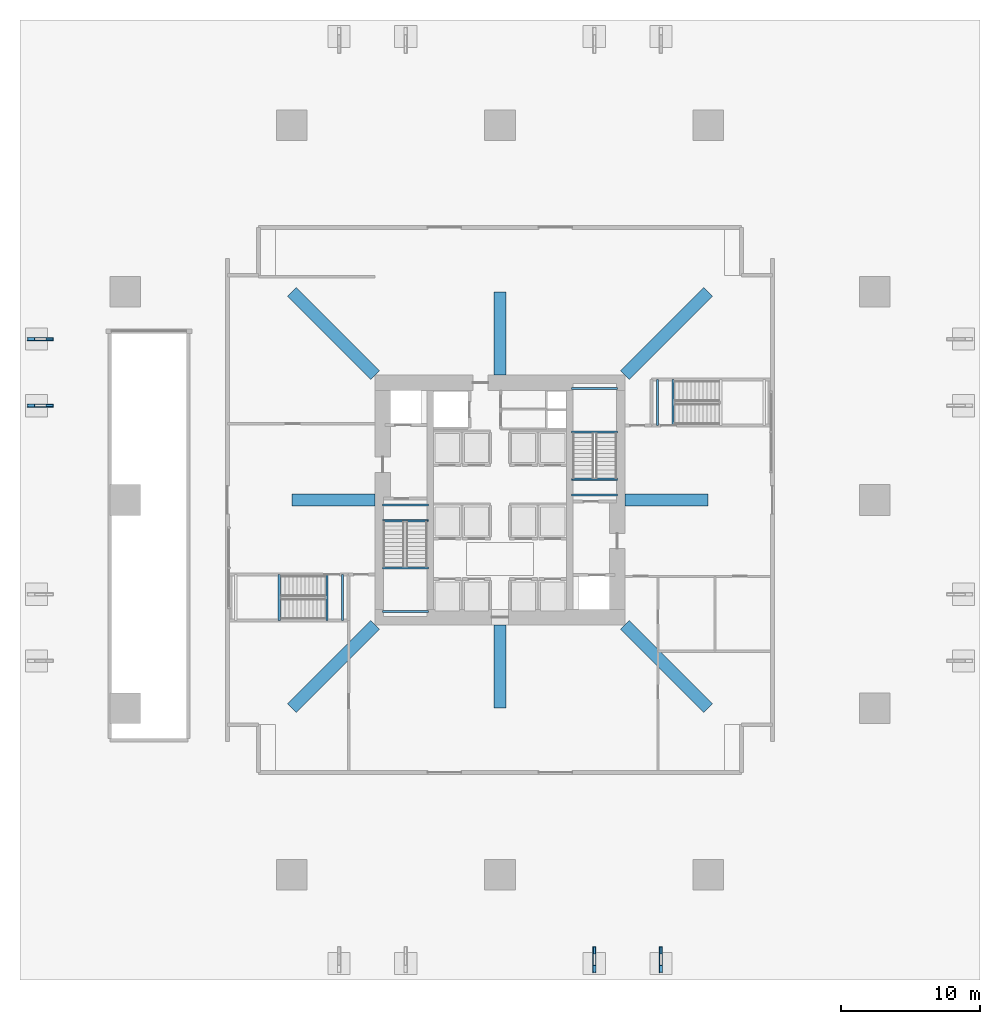
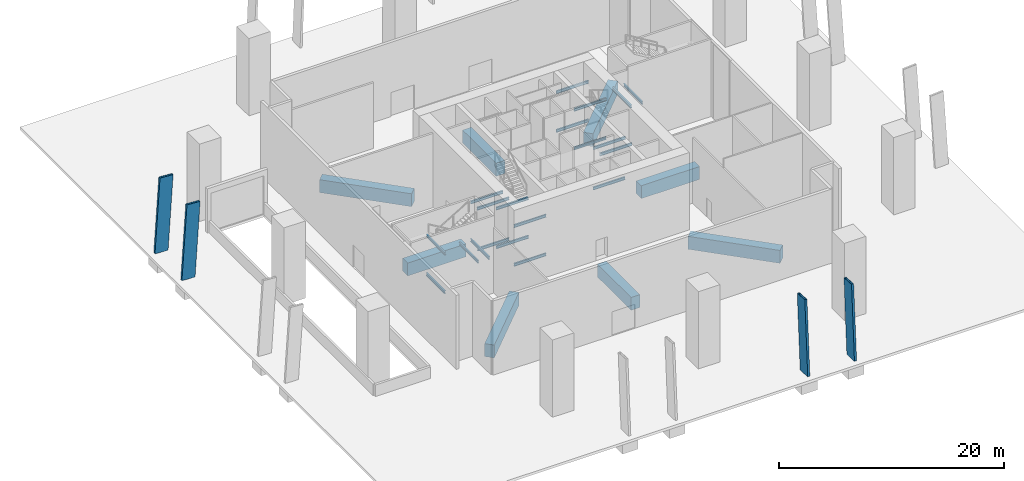
# One storey, part 3 of 12: 28 beams, 4 members.
"""IFC4 building model written with IfcOpenShell, lengths in metres."""

from ifc_helpers import new_model, si_unit, direction, frame, origin, origin_2d, place, context, subcontext, project, spatial, rectangle, hollow_rectangle, i_section, extrude, material, material_profile, profile_set, type_object, element, save


model = new_model("IFC4")

# Units and contexts
model_context = context("Model", 3, precision=1e-05, world=origin(), true_north=direction((0.0, 1.0)))
body_context = subcontext(model_context, "Body", "Model", "MODEL_VIEW")
ifc_project = project(units=[si_unit("LENGTHUNIT", "METRE"), si_unit("AREAUNIT", "SQUARE_METRE"), si_unit("VOLUMEUNIT", "CUBIC_METRE"), si_unit("PLANEANGLEUNIT", "RADIAN"), si_unit("MASSUNIT", "GRAM", prefix="KILO")], contexts=[model_context])

# Site, building, storey
site_placement = place(None, origin())
site = spatial("IfcSite", under=ifc_project, at=site_placement, CompositionType="ELEMENT")
building_placement = place(site_placement, origin())
building = spatial("IfcBuilding", under=site, at=building_placement, Name="Belovzor Exchange Tower", CompositionType="ELEMENT")
storey_placement = place(building_placement, origin())
storey = spatial("IfcBuildingStorey", under=building, at=storey_placement, Name="L01", CompositionType="ELEMENT", Elevation=0.0)

# Members
ifc_material_1 = material(Name="Extruded Architectural Terracotta on Steel S355 Carrier", Category="masonry")
ifc_material_profile_1 = material_profile(ifc_material_1, hollow_rectangle(XDim=0.219970703125, YDim=1.35009765625, WallThickness=0.013916015625, at=origin_2d()))
ifc_profile_set_1 = profile_set([ifc_material_profile_1], Name="Extruded Architectural Terracotta on Steel S355 Carrier")
member_type = type_object("IfcMemberType", Name="Base Arc Sweeping Terracotta Pylon Fin 1450", PredefinedType="USERDEFINED", material=ifc_profile_set_1)
for number, where, z_axis, x_axis, name in (
    (1, (35.60009765625, -4.60009765625, 0.0), (0.0, 0.064343388209, 0.997927817226), (-1.0, 0.0, 0.0), "FIN-TC145 Sweeping Base Pylon Fin L01 S3"),
    (2, (-4.60009765625, 35.60009765625, 0.0), (0.064343388209, 0.0, 0.997927817226), (0.0, 1.0, 0.0), "FIN-TC145 Sweeping Base Pylon Fin L01 W3"),
    (3, (40.39990234375, -4.60009765625, 0.0), (0.0, 0.064343388209, 0.997927817226), (-1.0, 0.0, 0.0), "FIN-TC145 Sweeping Base Pylon Fin L01 S4"),
    (4, (-4.60009765625, 40.39990234375, 0.0), (0.064343388209, 0.0, 0.997927817226), (0.0, 1.0, 0.0), "FIN-TC145 Sweeping Base Pylon Fin L01 W4"),
):
    element("IfcMember", number, at=place(storey_placement, frame(where, z_axis=z_axis, x_axis=x_axis)), inside=storey, type_object=member_type, Name=name, ObjectType="FIN", PredefinedType="USERDEFINED", context=body_context, shape_type="SweptSolid", body=[
        extrude(hollow_rectangle(XDim=0.219970703125, YDim=1.35009765625, WallThickness=0.013916015625, at=origin_2d()), origin(), (0.0, 0.0, 1.0), 8.066650390625),
    ])

# Beams
ifc_material_2 = material(Name="Concrete C50/60", Category="concrete")
ifc_material_profile_2 = material_profile(ifc_material_2, rectangle(XDim=0.89990234375, YDim=1.39990234375, at=origin_2d()))
ifc_profile_set_2 = profile_set([ifc_material_profile_2], Name="Concrete C50/60")
beam_type_1 = type_object("IfcBeamType", Name="Reinforced Concrete Basement Tie Girder 900x1400", PredefinedType="BEAM", material=ifc_profile_set_2)
for number, where, z_axis, x_axis, name in (
    (5, (13.800048828125, 13.800048828125, -1.10009765625), (0.707106781187, 0.707106781187, 0.0), (-0.707106781187, 0.707106781187, 0.0), "BG-1 Reinforced Concrete Basement Tie Girder 900x1400"),
    (6, (43.800048828125, 13.800048828125, -1.10009765625), (-0.707106781187, 0.707106781187, 0.0), (-0.707106781187, -0.707106781187, 0.0), "BG-1 Reinforced Concrete Basement Tie Girder 900x1400"),
    (7, (43.800048828125, 43.800048828125, -1.10009765625), (-0.707106781187, -0.707106781187, 0.0), (0.707106781187, -0.707106781187, 0.0), "BG-1 Reinforced Concrete Basement Tie Girder 900x1400"),
    (8, (13.800048828125, 43.800048828125, -1.10009765625), (0.707106781187, -0.707106781187, 0.0), (0.707106781187, 0.707106781187, 0.0), "BG-1 Reinforced Concrete Basement Tie Girder 900x1400"),
):
    element("IfcBeam", number, at=place(storey_placement, frame(where, z_axis=z_axis, x_axis=x_axis)), inside=storey, type_object=beam_type_1, Name=name, PredefinedType="BEAM", context=body_context, shape_type="SweptSolid", body=[
        extrude(rectangle(XDim=0.89990234375, YDim=1.39990234375, at=origin_2d()), origin(), (0.0, 0.0, 1.0), 8.4853515625),
    ])
for number, where, z_axis, x_axis, name in (
    (9, (28.800048828125, 13.800048828125, -1.10009765625), (0.0, 1.0, 0.0), (-1.0, 0.0, 0.0), "BG-1 Reinforced Concrete Basement Tie Girder 900x1400"),
    (10, (28.800048828125, 43.800048828125, -1.10009765625), (0.0, -1.0, 0.0), (1.0, 0.0, 0.0), "BG-1 Reinforced Concrete Basement Tie Girder 900x1400"),
    (11, (13.800048828125, 28.800048828125, -1.10009765625), (1.0, 0.0, 0.0), (0.0, 1.0, 0.0), "BG-1 Reinforced Concrete Basement Tie Girder 900x1400"),
    (12, (43.800048828125, 28.800048828125, -1.10009765625), (-1.0, 0.0, 0.0), (0.0, -1.0, 0.0), "BG-1 Reinforced Concrete Basement Tie Girder 900x1400"),
):
    element("IfcBeam", number, at=place(storey_placement, frame(where, z_axis=z_axis, x_axis=x_axis)), inside=storey, type_object=beam_type_1, Name=name, PredefinedType="BEAM", context=body_context, shape_type="SweptSolid", body=[
        extrude(rectangle(XDim=0.89990234375, YDim=1.39990234375, at=origin_2d()), origin(), (0.0, 0.0, 1.0), 6.0),
    ])
ifc_material_3 = material(Name="Steel S355", Category="steel")
ifc_material_profile_3 = material_profile(ifc_material_3, i_section(OverallWidth=0.14990234375, OverallDepth=0.300048828125, WebThickness=0.007080078125, FlangeThickness=0.0107421875, at=origin_2d()))
ifc_profile_set_3 = profile_set([ifc_material_profile_3], Name="Steel S355")
beam_type_2 = type_object("IfcBeamType", Name="Secondary Trim Floor Joist IPE 300", PredefinedType="BEAM", material=ifc_profile_set_3)
for number, where, z_axis, x_axis, name in (
    (13, (20.320068359375, 23.889892578125, 1.75), (1.0, 0.0, 0.0), (0.0, 1.0, 0.0), "FJ-300 Secondary Trim Floor Joist IPE 300"),
    (14, (20.320068359375, 20.75, 1.75), (1.0, 0.0, 0.0), (0.0, 1.0, 0.0), "FJ-300 Secondary Trim Floor Joist IPE 300"),
    (15, (20.320068359375, 27.320068359375, 3.85009765625), (1.0, 0.0, 0.0), (0.0, 1.0, 0.0), "FJ-300 Secondary Trim Floor Joist IPE 300"),
    (16, (20.320068359375, 28.449951171875, 3.85009765625), (1.0, 0.0, 0.0), (0.0, 1.0, 0.0), "FJ-300 Secondary Trim Floor Joist IPE 300"),
    (17, (20.320068359375, 23.889892578125, 5.949951171875), (1.0, 0.0, 0.0), (0.0, 1.0, 0.0), "FJ-300 Secondary Trim Floor Joist IPE 300"),
    (18, (20.320068359375, 20.75, 5.949951171875), (1.0, 0.0, 0.0), (0.0, 1.0, 0.0), "FJ-300 Secondary Trim Floor Joist IPE 300"),
):
    element("IfcBeam", number, at=place(storey_placement, frame(where, z_axis=z_axis, x_axis=x_axis)), inside=storey, type_object=beam_type_2, Name=name, PredefinedType="BEAM", context=body_context, shape_type="SweptSolid", body=[
        extrude(i_section(OverallWidth=0.14990234375, OverallDepth=0.300048828125, WebThickness=0.007080078125, FlangeThickness=0.0107421875, at=origin_2d()), origin(), (0.0, 0.0, 1.0), 3.309814453125),
    ])
beam_1_placement = place(storey_placement, frame((20.340087890625, 27.280029296875, -0.550048828125), z_axis=(1.0, 0.0, 0.0), x_axis=(0.0, 1.0, 0.0)))
element("IfcBeam", 19, at=beam_1_placement, inside=storey, type_object=beam_type_2, Name="FJ-300 Secondary Trim Floor Joist IPE 300", PredefinedType="BEAM", context=body_context, shape_type="SweptSolid", body=[
    extrude(i_section(OverallWidth=0.14990234375, OverallDepth=0.300048828125, WebThickness=0.007080078125, FlangeThickness=0.0107421875, at=origin_2d()), origin(), (0.0, 0.0, 1.0), 3.27001953125),
])
for number, where, z_axis, x_axis, name in (
    (20, (37.280029296875, 33.7099609375, 1.75), (-1.0, 0.0, 0.0), (0.0, -1.0, 0.0), "FJ-300 Secondary Trim Floor Joist IPE 300"),
    (21, (37.280029296875, 36.85009765625, 1.75), (-1.0, 0.0, 0.0), (0.0, -1.0, 0.0), "FJ-300 Secondary Trim Floor Joist IPE 300"),
    (22, (37.280029296875, 30.280029296875, 3.85009765625), (-1.0, 0.0, 0.0), (0.0, -1.0, 0.0), "FJ-300 Secondary Trim Floor Joist IPE 300"),
    (23, (37.280029296875, 29.14990234375, 3.85009765625), (-1.0, 0.0, 0.0), (0.0, -1.0, 0.0), "FJ-300 Secondary Trim Floor Joist IPE 300"),
    (24, (37.280029296875, 33.7099609375, 5.949951171875), (-1.0, 0.0, 0.0), (0.0, -1.0, 0.0), "FJ-300 Secondary Trim Floor Joist IPE 300"),
    (25, (37.280029296875, 36.85009765625, 5.949951171875), (-1.0, 0.0, 0.0), (0.0, -1.0, 0.0), "FJ-300 Secondary Trim Floor Joist IPE 300"),
):
    element("IfcBeam", number, at=place(storey_placement, frame(where, z_axis=z_axis, x_axis=x_axis)), inside=storey, type_object=beam_type_2, Name=name, PredefinedType="BEAM", context=body_context, shape_type="SweptSolid", body=[
        extrude(i_section(OverallWidth=0.14990234375, OverallDepth=0.300048828125, WebThickness=0.007080078125, FlangeThickness=0.0107421875, at=origin_2d()), origin(), (0.0, 0.0, 1.0), 3.31005859375),
    ])
beam_2_placement = place(storey_placement, frame((37.260009765625, 30.320068359375, -0.550048828125), z_axis=(-1.0, 0.0, 0.0), x_axis=(0.0, -1.0, 0.0)))
element("IfcBeam", 26, at=beam_2_placement, inside=storey, type_object=beam_type_2, Name="FJ-300 Secondary Trim Floor Joist IPE 300", PredefinedType="BEAM", context=body_context, shape_type="SweptSolid", body=[
    extrude(i_section(OverallWidth=0.14990234375, OverallDepth=0.300048828125, WebThickness=0.007080078125, FlangeThickness=0.0107421875, at=origin_2d()), origin(), (0.0, 0.0, 1.0), 3.27001953125),
])
for number, where, z_axis, x_axis, name in (
    (27, (12.889892578125, 23.429931640625, 1.75), (0.0, -1.0, 0.0), (1.0, 0.0, 0.0), "FJ-300 Secondary Trim Floor Joist IPE 300"),
    (28, (16.320068359375, 23.429931640625, 3.85009765625), (0.0, -1.0, 0.0), (1.0, 0.0, 0.0), "FJ-300 Secondary Trim Floor Joist IPE 300"),
    (29, (17.449951171875, 23.429931640625, 3.85009765625), (0.0, -1.0, 0.0), (1.0, 0.0, 0.0), "FJ-300 Secondary Trim Floor Joist IPE 300"),
    (30, (12.889892578125, 23.429931640625, 5.949951171875), (0.0, -1.0, 0.0), (1.0, 0.0, 0.0), "FJ-300 Secondary Trim Floor Joist IPE 300"),
):
    element("IfcBeam", number, at=place(storey_placement, frame(where, z_axis=z_axis, x_axis=x_axis)), inside=storey, type_object=beam_type_2, Name=name, PredefinedType="BEAM", context=body_context, shape_type="SweptSolid", body=[
        extrude(i_section(OverallWidth=0.14990234375, OverallDepth=0.300048828125, WebThickness=0.007080078125, FlangeThickness=0.0107421875, at=origin_2d()), origin(), (0.0, 0.0, 1.0), 3.309814453125),
    ])
for number, where, z_axis, x_axis, name in (
    (31, (41.280029296875, 34.169921875, 3.85009765625), (0.0, 1.0, 0.0), (-1.0, 0.0, 0.0), "FJ-300 Secondary Trim Floor Joist IPE 300"),
    (32, (40.14990234375, 34.169921875, 3.85009765625), (0.0, 1.0, 0.0), (-1.0, 0.0, 0.0), "FJ-300 Secondary Trim Floor Joist IPE 300"),
):
    element("IfcBeam", number, at=place(storey_placement, frame(where, z_axis=z_axis, x_axis=x_axis)), inside=storey, type_object=beam_type_2, Name=name, PredefinedType="BEAM", context=body_context, shape_type="SweptSolid", body=[
        extrude(i_section(OverallWidth=0.14990234375, OverallDepth=0.300048828125, WebThickness=0.007080078125, FlangeThickness=0.0107421875, at=origin_2d()), origin(), (0.0, 0.0, 1.0), 3.31005859375),
    ])

save(model, "model.ifc")
